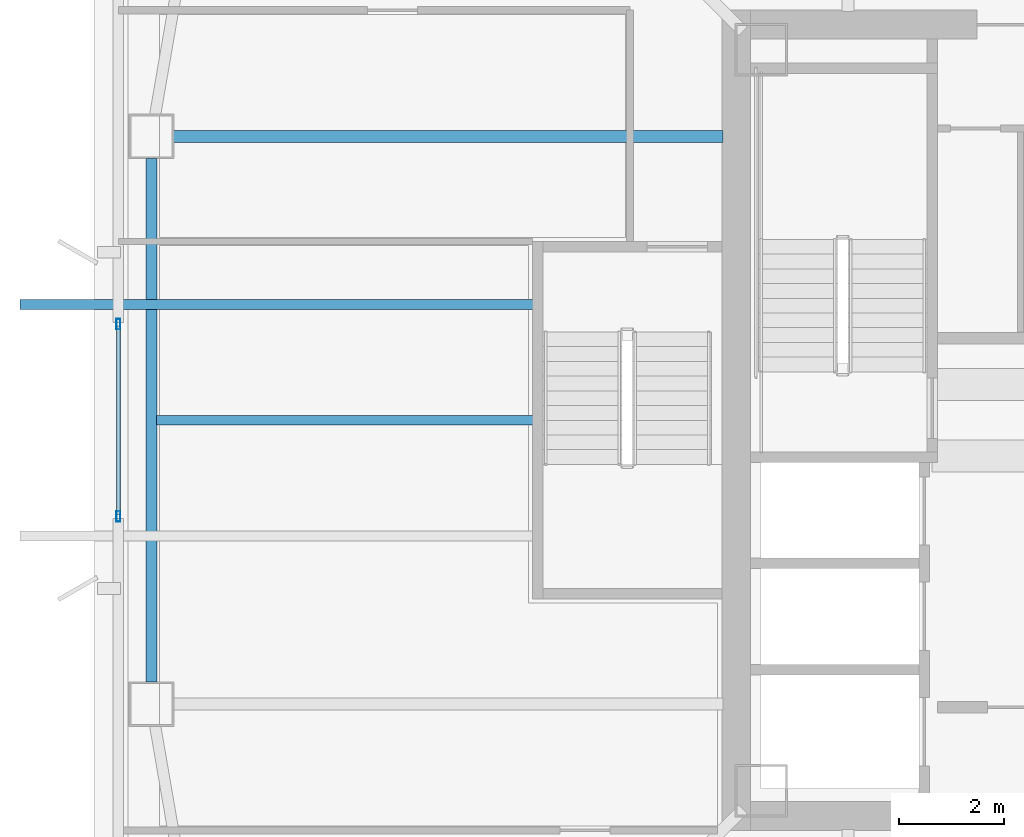
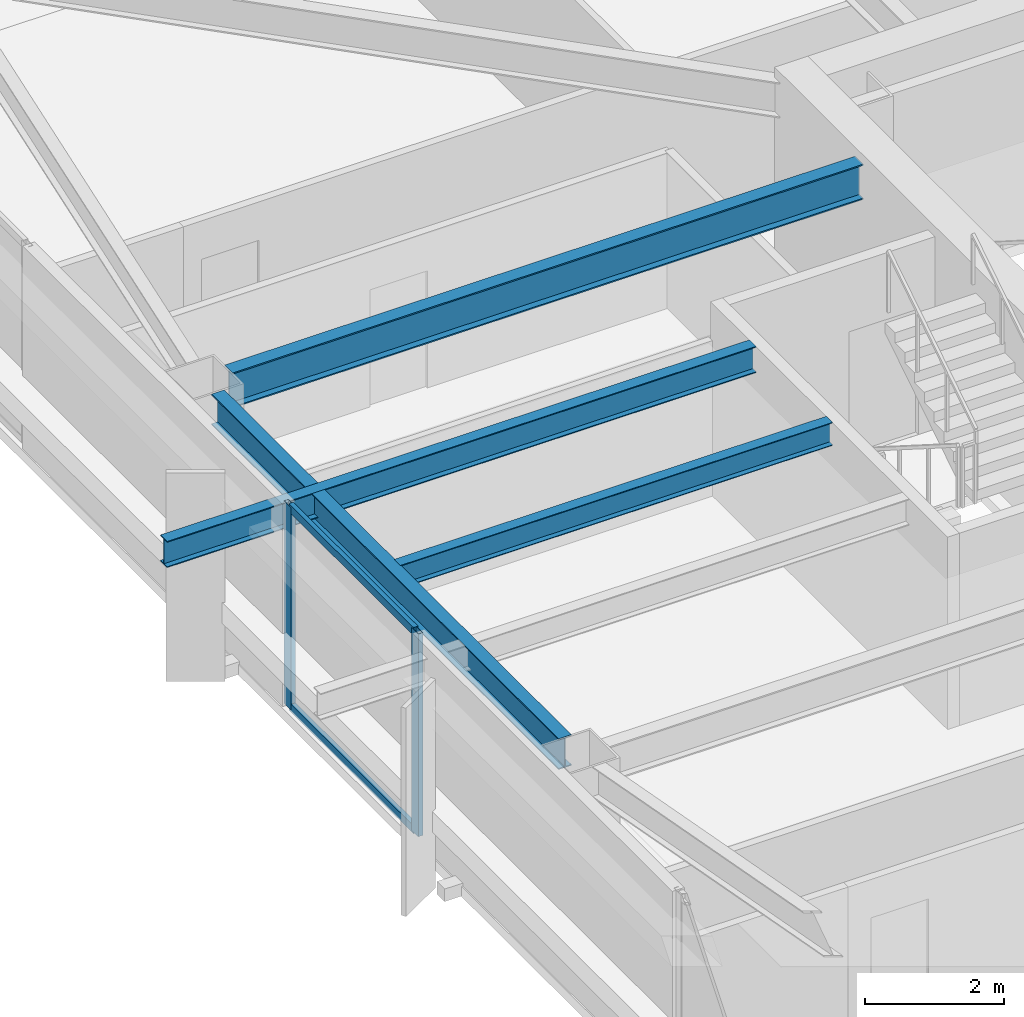
# One storey, part 8 of 48: 4 beams, 4 members, 1 element without a shape of its own.
"""IFC4 building model written with IfcOpenShell, lengths in metres."""

from ifc_helpers import new_model, si_unit, direction, frame, origin, origin_2d, place, context, subcontext, project, spatial, hollow_rectangle, i_section, extrude, material, material_profile, profile_set, type_object, element, aggregate, save


model = new_model("IFC4")

# Units and contexts
model_context = context("Model", 3, precision=1e-05, world=origin(), true_north=direction((0.0, 1.0)))
body_context = subcontext(model_context, "Body", "Model", "MODEL_VIEW")
ifc_project = project(units=[si_unit("LENGTHUNIT", "METRE"), si_unit("AREAUNIT", "SQUARE_METRE"), si_unit("VOLUMEUNIT", "CUBIC_METRE"), si_unit("PLANEANGLEUNIT", "RADIAN"), si_unit("MASSUNIT", "GRAM", prefix="KILO")], contexts=[model_context])

# Site, building, storey
site_placement = place(None, origin())
site = spatial("IfcSite", under=ifc_project, at=site_placement, CompositionType="ELEMENT")
building_placement = place(site_placement, origin())
building = spatial("IfcBuilding", under=site, at=building_placement, Name="Tashvorn Skyway Center", CompositionType="ELEMENT")
storey_placement = place(building_placement, frame((0.0, 0.0, 125.050048828125)))
storey = spatial("IfcBuildingStorey", under=building, at=storey_placement, Name="L33", CompositionType="ELEMENT", Elevation=125.050048828125)

# Beams
ifc_material_1 = material(Name="Steel ASTM A992 Grade 50", Category="steel")
ifc_material_profile_1 = material_profile(ifc_material_1, i_section(OverallWidth=0.22998046875, OverallDepth=0.616943359375, WebThickness=0.01318359375, FlangeThickness=0.022216796875, at=origin_2d()), Name="W24X94")
ifc_profile_set_1 = profile_set([ifc_material_profile_1], Name="Steel ASTM A992 Grade 50")
beam_type_1 = type_object("IfcBeamType", Name="BM-BEAM-W24X94", PredefinedType="BEAM", material=ifc_profile_set_1)
beam_1_placement = place(storey_placement, frame((23.77001953125, 37.39990234375, 3.0615234375), z_axis=(1.0, 0.0, 0.0), x_axis=(0.0, 1.0, 0.0)))
element("IfcBeam", 1, at=beam_1_placement, inside=storey, type_object=beam_type_1, Name="Tower 1 L33 Primary Floor Girder FC-W1", PredefinedType="BEAM", context=body_context, shape_type="SweptSolid", body=[
    extrude(i_section(OverallWidth=0.22998046875, OverallDepth=0.616943359375, WebThickness=0.01318359375, FlangeThickness=0.022216796875, at=origin_2d()), origin(), (0.0, 0.0, 1.0), 10.449951171875),
])
ifc_material_profile_2 = material_profile(ifc_material_1, i_section(OverallWidth=0.177978515625, OverallDepth=0.406005859375, WebThickness=0.0078125, FlangeThickness=0.0126953125, at=origin_2d()), Name="W16X40")
ifc_profile_set_2 = profile_set([ifc_material_profile_2], Name="Steel ASTM A992 Grade 50")
beam_type_2 = type_object("IfcBeamType", Name="BM-JOIST-W16X40", PredefinedType="JOIST", material=ifc_profile_set_2)
beam_2_placement = place(storey_placement, frame((30.610107421875, 32.0, 3.1669921875), z_axis=(-1.0, 0.0, 0.0), x_axis=(0.0, -1.0, 0.0)))
element("IfcBeam", 2, at=beam_2_placement, inside=storey, type_object=beam_type_2, Name="Tower 1 L33 Secondary Composite Joist JW", PredefinedType="JOIST", context=body_context, shape_type="SweptSolid", body=[
    extrude(i_section(OverallWidth=0.177978515625, OverallDepth=0.406005859375, WebThickness=0.0078125, FlangeThickness=0.0126953125, at=origin_2d()), origin(), (0.0, 0.0, 1.0), 7.16259765625),
])
ifc_material_profile_3 = material_profile(ifc_material_1, i_section(OverallWidth=0.19091796875, OverallDepth=0.4599609375, WebThickness=0.010009765625, FlangeThickness=0.01611328125, at=origin_2d()), Name="W18X55")
ifc_profile_set_3 = profile_set([ifc_material_profile_3], Name="Steel ASTM A992 Grade 50")
beam_type_3 = type_object("IfcBeamType", Name="BM-JOIST-W18X55", PredefinedType="JOIST", material=ifc_profile_set_3)
beam_3_placement = place(storey_placement, frame((30.610107421875, 34.199951171875, 3.139892578125), z_axis=(-1.0, 0.0, 0.0), x_axis=(0.0, -1.0, 0.0)))
element("IfcBeam", 3, at=beam_3_placement, inside=storey, type_object=beam_type_3, Name="Tower 1 L34 Terrace Cantilever Outlooker 2", PredefinedType="JOIST", context=body_context, shape_type="SweptSolid", body=[
    extrude(i_section(OverallWidth=0.19091796875, OverallDepth=0.4599609375, WebThickness=0.010009765625, FlangeThickness=0.01611328125, at=origin_2d()), origin(), (0.0, 0.0, 1.0), 9.760009765625),
])
ifc_material_profile_4 = material_profile(ifc_material_1, i_section(OverallWidth=0.2109375, OverallDepth=0.5390625, WebThickness=0.01171875, FlangeThickness=0.018798828125, at=origin_2d()), Name="W21X73")
ifc_profile_set_4 = profile_set([ifc_material_profile_4], Name="Steel ASTM A992 Grade 50")
beam_type_4 = type_object("IfcBeamType", Name="BM-SPANDREL-W21X73", PredefinedType="SPANDREL", material=ifc_profile_set_4)
beam_4_placement = place(storey_placement, frame((23.35009765625, 36.97998046875, 3.100341796875), z_axis=(0.0, -1.0, 0.0), x_axis=(1.0, 0.0, 0.0)))
element("IfcBeam", 4, at=beam_4_placement, inside=storey, type_object=beam_type_4, Name="Tower 1 L33 Spandrel Beam 11", PredefinedType="SPANDREL", context=body_context, shape_type="SweptSolid", body=[
    extrude(i_section(OverallWidth=0.2109375, OverallDepth=0.5390625, WebThickness=0.01171875, FlangeThickness=0.018798828125, at=origin_2d()), origin(), (0.0, 0.0, 1.0), 9.9599609375),
])

# Curtain wall, members
ifc_material_2 = material(Name="Thermally broken bronze-anodized aluminium 6063-T6", Category="aluminium")
curtain_wall_type = type_object("IfcCurtainWallType", Name="CW-CW-Z3", PredefinedType="NOTDEFINED", material=ifc_material_2)
curtain_wall_placement = place(storey_placement, origin())
curtain_wall = element("IfcCurtainWall", 5, at=curtain_wall_placement, inside=storey, type_object=curtain_wall_type, Name="Tower 1 L33 West Unitised Curtain Wall Glazing Group 2", PredefinedType="NOTDEFINED")
ifc_material_profile_5 = material_profile(ifc_material_2, hollow_rectangle(XDim=0.074951171875, YDim=0.199951171875, WallThickness=0.00439453125, at=origin_2d()), Name="ALU-MULL-75x200")
ifc_profile_set_5 = profile_set([ifc_material_profile_5], Name="Thermally broken bronze-anodized aluminium 6063-T6")
member_type_1 = type_object("IfcMemberType", Name="CWM-CW-Z3", PredefinedType="MULLION", material=ifc_profile_set_5)
member_1_placement = place(storey_placement, frame((22.719970703125, 30.173095703125, 0.0), z_axis=(0.0, 0.0, 1.0), x_axis=(-1.0, 0.0, 0.0)))
member_1 = element("IfcMember", 6, at=member_1_placement, type_object=member_type_1, Name="CW-Z3 mullion 1", PredefinedType="MULLION", context=body_context, shape_type="SweptSolid", body=[
    extrude(hollow_rectangle(XDim=0.074951171875, YDim=0.199951171875, WallThickness=0.00439453125, at=origin_2d()), origin(), (0.0, 0.0, 1.0), 3.550048828125),
])
member_2_placement = place(storey_placement, frame((22.719970703125, 33.826904296875, 0.0), z_axis=(0.0, 0.0, 1.0), x_axis=(-1.0, 0.0, 0.0)))
member_2 = element("IfcMember", 7, at=member_2_placement, type_object=member_type_1, Name="CW-Z3 mullion 2", PredefinedType="MULLION", context=body_context, shape_type="SweptSolid", body=[
    extrude(hollow_rectangle(XDim=0.074951171875, YDim=0.199951171875, WallThickness=0.00439453125, at=origin_2d()), origin(), (0.0, 0.0, 1.0), 3.550048828125),
])
ifc_material_profile_6 = material_profile(ifc_material_2, hollow_rectangle(XDim=0.074951171875, YDim=0.139892578125, WallThickness=0.004150390625, at=origin_2d()), Name="ALU-TRAN-75x140")
ifc_profile_set_6 = profile_set([ifc_material_profile_6], Name="Thermally broken bronze-anodized aluminium 6063-T6")
member_type_2 = type_object("IfcMemberType", Name="CWT-CW-Z3", PredefinedType="USERDEFINED", material=ifc_profile_set_6)
member_3_placement = place(storey_placement, frame((22.719970703125, 30.210693359375, 0.037353515625), z_axis=(0.0, 1.0, 0.0), x_axis=(-1.0, 0.0, 0.0)))
member_3 = element("IfcMember", 8, at=member_3_placement, type_object=member_type_2, Name="CW-Z3 transom 1.1", ObjectType="TRANSOM", PredefinedType="USERDEFINED", context=body_context, shape_type="SweptSolid", body=[
    extrude(hollow_rectangle(XDim=0.074951171875, YDim=0.139892578125, WallThickness=0.004150390625, at=origin_2d()), origin(), (0.0, 0.0, 1.0), 3.57861328125),
])
member_4_placement = place(storey_placement, frame((22.719970703125, 30.210693359375, 3.512451171875), z_axis=(0.0, 1.0, 0.0), x_axis=(-1.0, 0.0, 0.0)))
member_4 = element("IfcMember", 9, at=member_4_placement, type_object=member_type_2, Name="CW-Z3 transom 1.2", ObjectType="TRANSOM", PredefinedType="USERDEFINED", context=body_context, shape_type="SweptSolid", body=[
    extrude(hollow_rectangle(XDim=0.074951171875, YDim=0.139892578125, WallThickness=0.004150390625, at=origin_2d()), origin(), (0.0, 0.0, 1.0), 3.57861328125),
])
aggregate(curtain_wall, [member_1, member_2, member_3, member_4])

save(model, "model.ifc")
